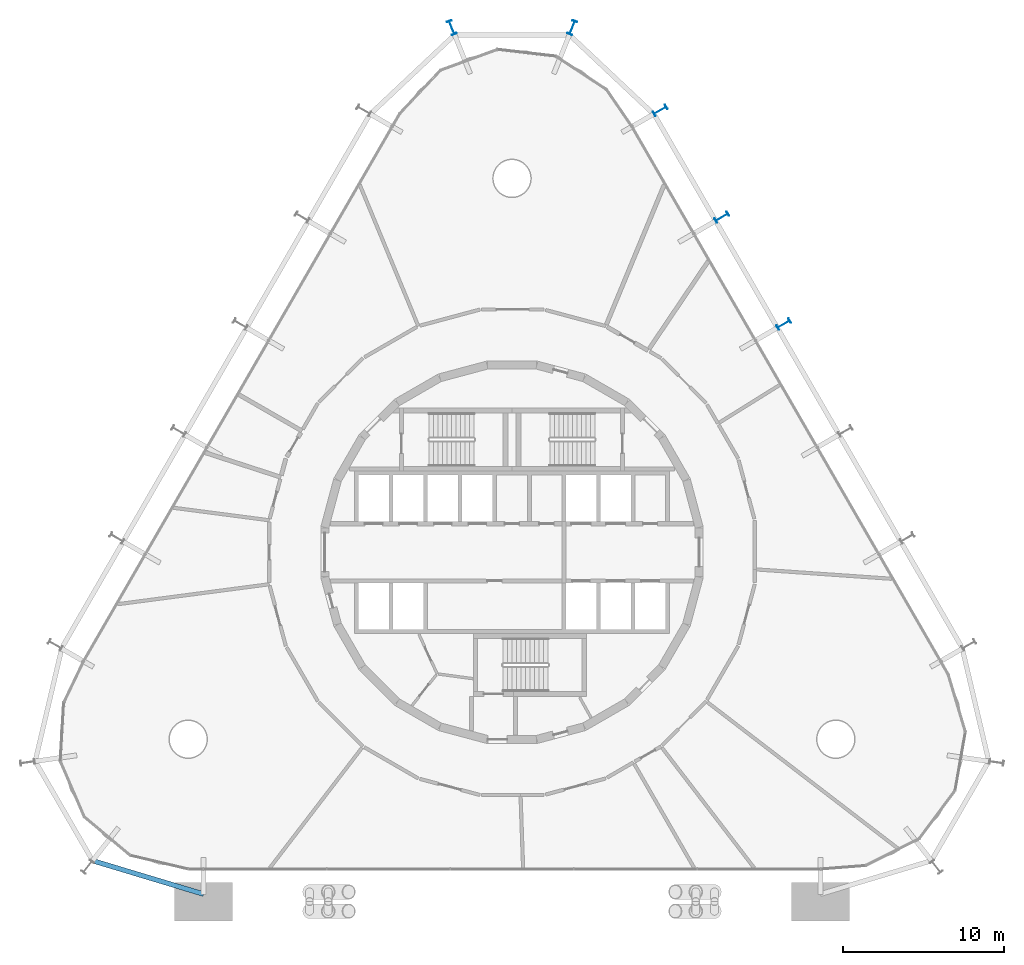
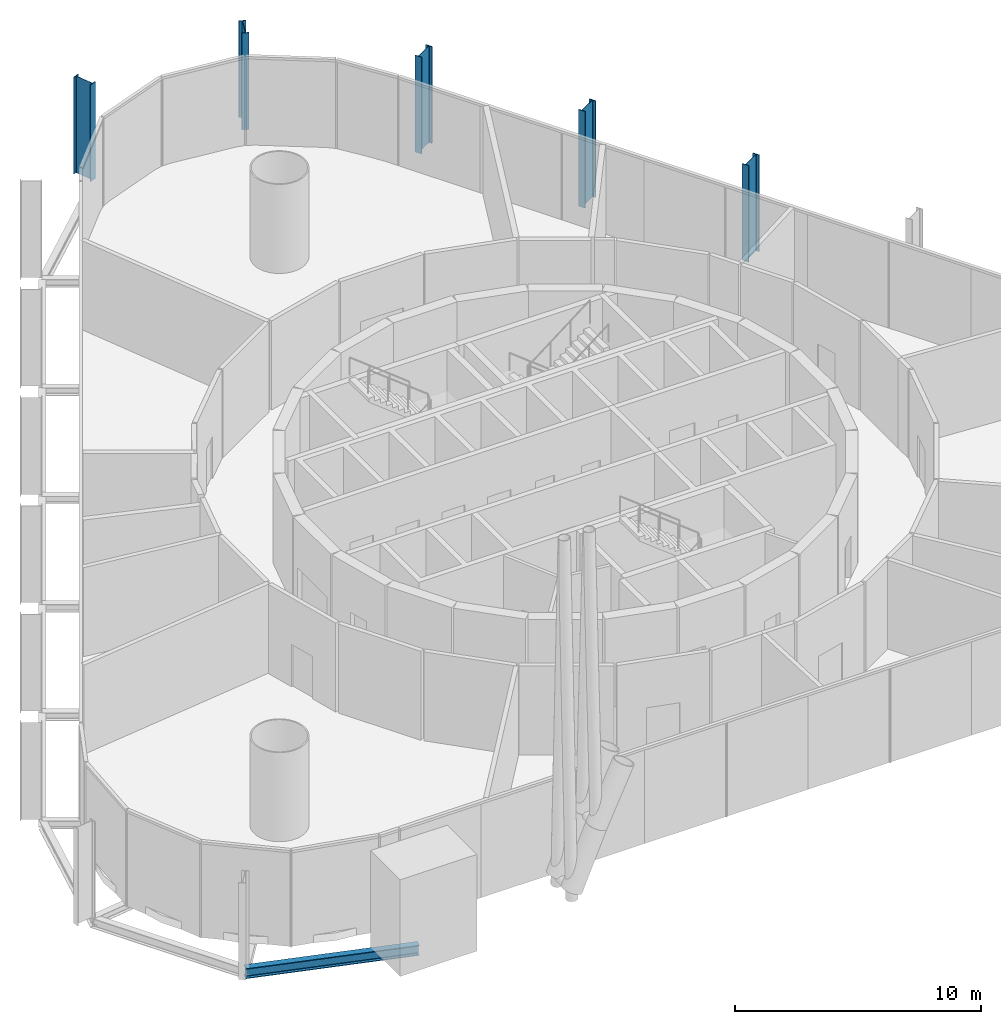
# One storey, part 2 of 17: 5 columns, 1 beam.
"""IFC4 building model written with IfcOpenShell, lengths in metres."""

from ifc_helpers import new_model, si_unit, direction, frame, origin, origin_2d, place, context, subcontext, project, spatial, i_section, extrude, material, material_profile, profile_set, type_object, element, save


model = new_model("IFC4")

# Units and contexts
model_context = context("Model", 3, precision=1e-05, world=origin(), true_north=direction((0.0, 1.0)))
body_context = subcontext(model_context, "Body", "Model", "MODEL_VIEW")
ifc_project = project(units=[si_unit("LENGTHUNIT", "METRE"), si_unit("AREAUNIT", "SQUARE_METRE"), si_unit("VOLUMEUNIT", "CUBIC_METRE"), si_unit("PLANEANGLEUNIT", "RADIAN"), si_unit("MASSUNIT", "GRAM", prefix="KILO")], contexts=[model_context])

# Site, building, storey
site_placement = place(None, origin())
site = spatial("IfcSite", under=ifc_project, at=site_placement, CompositionType="ELEMENT")
building_placement = place(site_placement, origin())
building = spatial("IfcBuilding", under=site, at=building_placement, Name="Spindle Arch Residences", CompositionType="ELEMENT")
storey_placement = place(building_placement, frame((0.0, 0.0, 13.800048828125)))
storey = spatial("IfcBuildingStorey", under=building, at=storey_placement, Name="L02", CompositionType="ELEMENT", Elevation=13.800048828125)

# Columns
ifc_material_1 = material(Name="Steel S460ML, intumescent coating R 240", Category="steel")
ifc_material_profile_1 = material_profile(ifc_material_1, i_section(OverallWidth=0.300048828125, OverallDepth=0.89990234375, WebThickness=0.0185546875, FlangeThickness=0.034912109375, FilletRadius=0.030029296875, at=origin_2d()), Name="HEB 900")
ifc_profile_set_1 = profile_set([ifc_material_profile_1], Name="Steel S460ML, intumescent coating R 240")
column_type = type_object("IfcColumnType", Name="Exoskeleton post HEB 900", PredefinedType="COLUMN", material=ifc_profile_set_1)
for number, where, z_axis, x_axis, name in (
    (1, (16.898681640625, 14.1904296875, -0.380126953125), (0.0, 0.0, 1.0), (0.50000017485, -0.866025302835, 0.0), "Exoskeleton post 9"),
    (2, (13.05859375, 20.841796875, -0.380126953125), (0.0, 0.0, 1.0), (0.50000017485, -0.866025302835, 0.0), "Exoskeleton post 10"),
    (3, (9.218505859375, 27.492919921875, -0.380126953125), (0.0, 0.0, 1.0), (0.50000017485, -0.866025302835, 0.0), "Exoskeleton post 11"),
    (4, (3.748291015625, 32.638671875, -0.380126953125), (0.0, 0.0, 1.0), (0.928589751246, -0.371107900591, 0.0), "Exoskeleton post 12"),
    (5, (-3.748291015625, 32.638671875, -0.380126953125), (0.0, 0.0, 1.0), (0.928589751246, 0.371107900591, 0.0), "Exoskeleton post 13"),
):
    element("IfcColumn", number, at=place(storey_placement, frame(where, z_axis=z_axis, x_axis=x_axis)), inside=storey, type_object=column_type, Name=name, PredefinedType="COLUMN", context=body_context, shape_type="SweptSolid", body=[
        extrude(i_section(OverallWidth=0.300048828125, OverallDepth=0.89990234375, WebThickness=0.0185546875, FlangeThickness=0.034912109375, FilletRadius=0.030029296875, at=origin_2d()), origin(), (0.0, 0.0, 1.0), 4.800048828125),
    ])

# Beam
ifc_material_2 = material(Name="Steel S460ML, intumescent coating R 120", Category="steel")
ifc_material_profile_2 = material_profile(ifc_material_2, i_section(OverallWidth=0.300048828125, OverallDepth=0.5, WebThickness=0.014404296875, FlangeThickness=0.028076171875, FilletRadius=0.027099609375, at=origin_2d()), Name="HEB 500")
ifc_profile_set_2 = profile_set([ifc_material_profile_2], Name="Steel S460ML, intumescent coating R 120")
beam_type = type_object("IfcBeamType", Name="Exoskeleton edge beam HEB 500", PredefinedType="BEAM", material=ifc_profile_set_2)
beam_placement = place(storey_placement, frame((-26.119873046875, -19.177490234375, -0.630126953125), z_axis=(0.957564526429, -0.288218975303, 0.0), x_axis=(0.288218975303, 0.957564526429, 0.0)))
element("IfcBeam", 6, at=beam_placement, inside=storey, type_object=beam_type, Name="Exoskeleton edge beam 21", PredefinedType="BEAM", context=body_context, shape_type="SweptSolid", body=[
    extrude(i_section(OverallWidth=0.300048828125, OverallDepth=0.5, WebThickness=0.014404296875, FlangeThickness=0.028076171875, FilletRadius=0.027099609375, at=origin_2d()), origin(), (0.0, 0.0, 1.0), 7.25),
])

save(model, "model.ifc")
